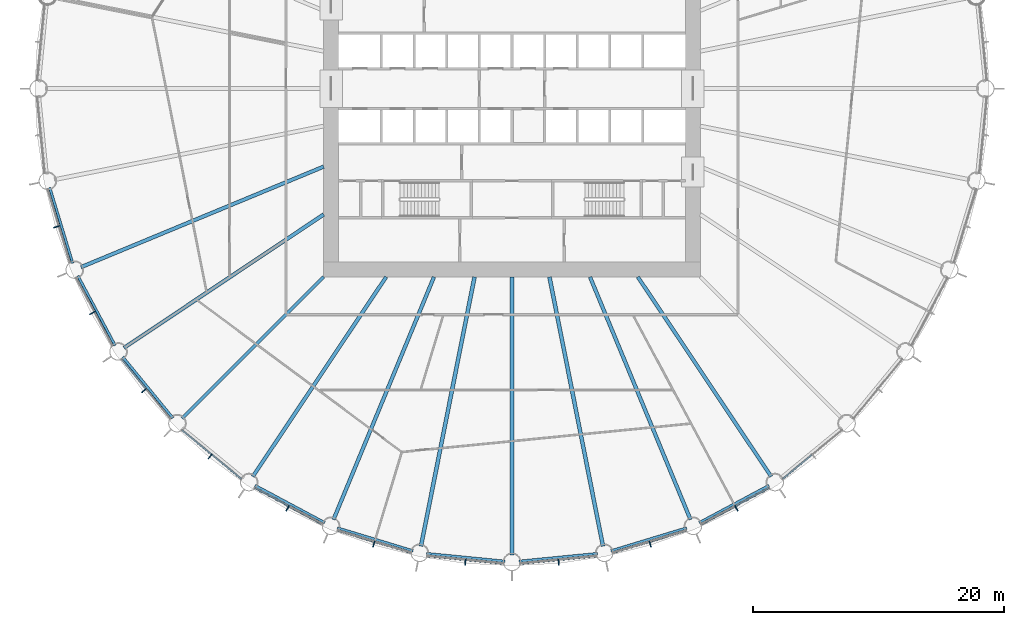
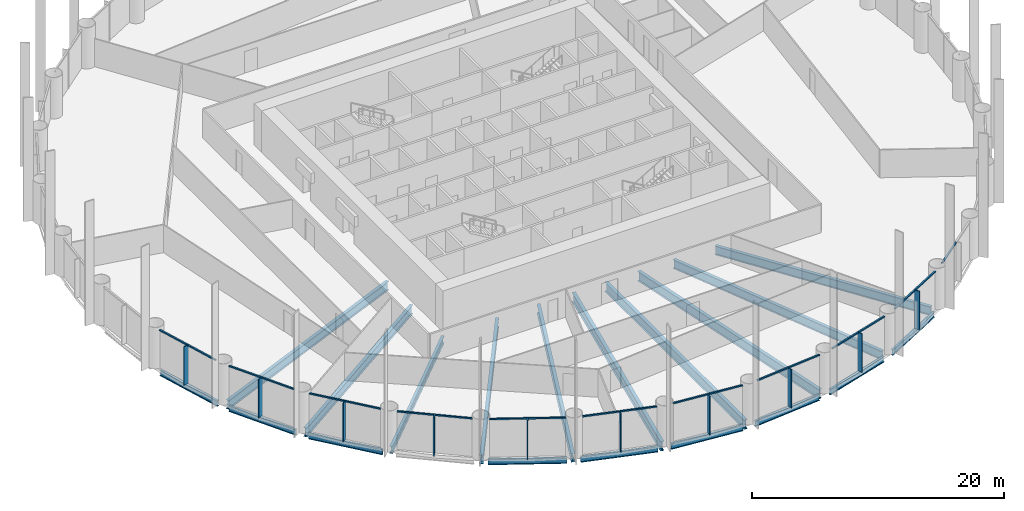
# One storey, part 2 of 14: 31 members, 19 beams, 11 elements without a shape of their own.
"""IFC4 building model written with IfcOpenShell, lengths in metres."""

from ifc_helpers import new_model, si_unit, direction, frame, origin, origin_2d, place, context, subcontext, project, spatial, rectangle, i_section, extrude, material, material_profile, profile_set, type_object, element, aggregate, save


model = new_model("IFC4")

# Units and contexts
model_context = context("Model", 3, precision=1e-05, world=origin(), true_north=direction((0.0, 1.0)))
body_context = subcontext(model_context, "Body", "Model", "MODEL_VIEW")
ifc_project = project(units=[si_unit("LENGTHUNIT", "METRE"), si_unit("AREAUNIT", "SQUARE_METRE"), si_unit("VOLUMEUNIT", "CUBIC_METRE"), si_unit("PLANEANGLEUNIT", "RADIAN"), si_unit("MASSUNIT", "GRAM", prefix="KILO")], contexts=[model_context])

# Site, building, storey
site_placement = place(None, origin())
site = spatial("IfcSite", under=ifc_project, at=site_placement, CompositionType="ELEMENT")
building_placement = place(site_placement, origin())
building = spatial("IfcBuilding", under=site, at=building_placement, Name="Corvane Civic Tower", CompositionType="ELEMENT")
storey_placement = place(building_placement, frame((0.0, 0.0, 53.0)))
storey = spatial("IfcBuildingStorey", under=building, at=storey_placement, Name="L11", CompositionType="ELEMENT", Elevation=53.0)

# Beams
ifc_material_1 = material(Name="Steel ASTM A992 Gr 50", Category="steel")
ifc_material_profile_1 = material_profile(ifc_material_1, i_section(OverallWidth=0.209228515625, OverallDepth=0.533447265625, WebThickness=0.01025390625, FlangeThickness=0.015625, at=origin_2d()), Name="W21X62")
ifc_profile_set_1 = profile_set([ifc_material_profile_1], Name="Steel ASTM A992 Gr 50")
beam_type_1 = type_object("IfcBeamType", Name="EDGE BEAM W21X62", PredefinedType="BEAM", material=ifc_profile_set_1)
for number, where, z_axis, x_axis, name in (
    (1, (20.4599609375, -31.605712890625, -0.566650390625), (-0.881916367906, -0.471405897311, 0.0), (0.471405897311, -0.881916367906, 0.0), "BM-L11-E14"),
    (2, (13.90087890625, -34.989990234375, -0.566650390625), (-0.956943740748, -0.290273452184, 0.0), (0.290273452184, -0.956943740748, 0.0), "BM-L11-E15"),
):
    element("IfcBeam", number, at=place(storey_placement, frame(where, z_axis=z_axis, x_axis=x_axis)), inside=storey, type_object=beam_type_1, Name=name, PredefinedType="BEAM", context=body_context, shape_type="SweptSolid", body=[
        extrude(i_section(OverallWidth=0.209228515625, OverallDepth=0.533447265625, WebThickness=0.01025390625, FlangeThickness=0.015625, at=origin_2d()), origin(), (0.0, 0.0, 1.0), 6.290283203125),
    ])
for number, where, z_axis, x_axis, name in (
    (3, (6.8076171875, -37.029541015625, -0.566650390625), (-0.995186682089, -0.097997284622, 0.0), (0.097997284622, -0.995186682089, 0.0), "BM-L11-E16"),
    (4, (-0.54736328125, -37.64599609375, -0.566650390625), (-0.995186682089, 0.097997284622, 0.0), (-0.097997284622, -0.995186682089, 0.0), "BM-L11-E17"),
):
    element("IfcBeam", number, at=place(storey_placement, frame(where, z_axis=z_axis, x_axis=x_axis)), inside=storey, type_object=beam_type_1, Name=name, PredefinedType="BEAM", context=body_context, shape_type="SweptSolid", body=[
        extrude(i_section(OverallWidth=0.209228515625, OverallDepth=0.533447265625, WebThickness=0.01025390625, FlangeThickness=0.015625, at=origin_2d()), origin(), (0.0, 0.0, 1.0), 6.29052734375),
    ])
for number, where, z_axis, x_axis, name in (
    (5, (-7.88134765625, -36.81591796875, -0.566650390625), (-0.956943740748, 0.290273452184, 0.0), (-0.290273452184, -0.956943740748, 0.0), "BM-L11-E18"),
    (6, (-14.912353515625, -34.571044921875, -0.566650390625), (-0.881916367906, 0.471405897311, 0.0), (-0.471405897311, -0.881916367906, 0.0), "BM-L11-E19"),
):
    element("IfcBeam", number, at=place(storey_placement, frame(where, z_axis=z_axis, x_axis=x_axis)), inside=storey, type_object=beam_type_1, Name=name, PredefinedType="BEAM", context=body_context, shape_type="SweptSolid", body=[
        extrude(i_section(OverallWidth=0.209228515625, OverallDepth=0.533447265625, WebThickness=0.01025390625, FlangeThickness=0.015625, at=origin_2d()), origin(), (0.0, 0.0, 1.0), 6.290283203125),
    ])
beam_1_placement = place(storey_placement, frame((-27.0068359375, -26.23291015625, -0.566650390625), z_axis=(-0.634386787141, 0.773015785286, 0.0), x_axis=(-0.773015785286, -0.634386787141, 0.0)))
element("IfcBeam", 7, at=beam_1_placement, inside=storey, type_object=beam_type_1, Name="BM-L11-E21", PredefinedType="BEAM", context=body_context, shape_type="SweptSolid", body=[
    extrude(i_section(OverallWidth=0.209228515625, OverallDepth=0.533447265625, WebThickness=0.01025390625, FlangeThickness=0.015625, at=origin_2d()), origin(), (0.0, 0.0, 1.0), 6.290771484375),
])
for number, where, z_axis, x_axis, name in (
    (8, (-31.605712890625, -20.4599609375, -0.566650390625), (-0.471405897311, 0.881916367906, 0.0), (-0.881916367906, -0.471405897311, 0.0), "BM-L11-E22"),
    (9, (-34.989990234375, -13.90087890625, -0.566650390625), (-0.290273452184, 0.956943740748, 0.0), (-0.956943740748, -0.290273452184, 0.0), "BM-L11-E23"),
):
    element("IfcBeam", number, at=place(storey_placement, frame(where, z_axis=z_axis, x_axis=x_axis)), inside=storey, type_object=beam_type_1, Name=name, PredefinedType="BEAM", context=body_context, shape_type="SweptSolid", body=[
        extrude(i_section(OverallWidth=0.209228515625, OverallDepth=0.533447265625, WebThickness=0.01025390625, FlangeThickness=0.015625, at=origin_2d()), origin(), (0.0, 0.0, 1.0), 6.290283203125),
    ])
ifc_material_2 = material(Name="Steel ASTM A992 Gr 50", Category="steel")
ifc_material_profile_2 = material_profile(ifc_material_2, i_section(OverallWidth=0.256591796875, OverallDepth=0.693359375, WebThickness=0.014404296875, FlangeThickness=0.023681640625, at=origin_2d()), Name="W27X114")
ifc_profile_set_2 = profile_set([ifc_material_profile_2], Name="Steel ASTM A992 Gr 50")
beam_type_2 = type_object("IfcBeamType", Name="FLOOR GIRDER W27X114", PredefinedType="BEAM", material=ifc_profile_set_2)
beam_2_placement = place(storey_placement, frame((-15.0, -15.0, -0.646728515625), z_axis=(-0.707106781187, -0.707106781187, 0.0), x_axis=(0.707106781187, -0.707106781187, 0.0)))
element("IfcBeam", 10, at=beam_2_placement, inside=storey, type_object=beam_type_2, Name="BM-L11-G21", PredefinedType="BEAM", context=body_context, shape_type="SweptSolid", body=[
    extrude(i_section(OverallWidth=0.256591796875, OverallDepth=0.693359375, WebThickness=0.014404296875, FlangeThickness=0.023681640625, at=origin_2d()), origin(), (0.0, 0.0, 1.0), 15.936767578125),
])
ifc_material_3 = material(Name="Steel ASTM A992 Gr 50", Category="steel")
ifc_material_profile_3 = material_profile(ifc_material_3, i_section(OverallWidth=0.2919921875, OverallDepth=0.8583984375, WebThickness=0.01708984375, FlangeThickness=0.031005859375, at=origin_2d()), Name="W33X169")
ifc_profile_set_3 = profile_set([ifc_material_profile_3], Name="Steel ASTM A992 Gr 50")
beam_type_3 = type_object("IfcBeamType", Name="FLOOR GIRDER W33X169", PredefinedType="BEAM", material=ifc_profile_set_3)
beam_3_placement = place(storey_placement, frame((10.022705078125, -15.0, -0.729248046875), z_axis=(0.555566681385, -0.831471985418, 0.0), x_axis=(0.831471985418, 0.555566681385, 0.0)))
element("IfcBeam", 11, at=beam_3_placement, inside=storey, type_object=beam_type_3, Name="BM-L11-G14", PredefinedType="BEAM", context=body_context, shape_type="SweptSolid", body=[
    extrude(i_section(OverallWidth=0.2919921875, OverallDepth=0.8583984375, WebThickness=0.01708984375, FlangeThickness=0.031005859375, at=origin_2d()), origin(), (0.0, 0.0, 1.0), 19.109619140625),
])
for number, where, z_axis, x_axis, name in (
    (12, (6.213134765625, -15.0, -0.729248046875), (0.382692360381, -0.923875834355, 0.0), (0.923875834355, 0.382692360381, 0.0), "BM-L11-G15"),
    (13, (-6.213134765625, -15.0, -0.729248046875), (-0.382692360381, -0.923875834355, 0.0), (0.923875834355, -0.382692360381, 0.0), "BM-L11-G19"),
):
    element("IfcBeam", number, at=place(storey_placement, frame(where, z_axis=z_axis, x_axis=x_axis)), inside=storey, type_object=beam_type_3, Name=name, PredefinedType="BEAM", context=body_context, shape_type="SweptSolid", body=[
        extrude(i_section(OverallWidth=0.2919921875, OverallDepth=0.8583984375, WebThickness=0.01708984375, FlangeThickness=0.031005859375, at=origin_2d()), origin(), (0.0, 0.0, 1.0), 20.9140625),
    ])
for number, where, z_axis, x_axis, name in (
    (14, (-10.022705078125, -15.0, -0.729248046875), (-0.555566681385, -0.831471985418, 0.0), (0.831471985418, -0.555566681385, 0.0), "BM-L11-G20"),
    (15, (-15.0, -10.022705078125, -0.729248046875), (-0.831471985418, -0.555566681385, 0.0), (0.555566681385, -0.831471985418, 0.0), "BM-L11-G22"),
):
    element("IfcBeam", number, at=place(storey_placement, frame(where, z_axis=z_axis, x_axis=x_axis)), inside=storey, type_object=beam_type_3, Name=name, PredefinedType="BEAM", context=body_context, shape_type="SweptSolid", body=[
        extrude(i_section(OverallWidth=0.2919921875, OverallDepth=0.8583984375, WebThickness=0.01708984375, FlangeThickness=0.031005859375, at=origin_2d()), origin(), (0.0, 0.0, 1.0), 19.109619140625),
    ])
beam_4_placement = place(storey_placement, frame((-15.0, -6.213134765625, -0.729248046875), z_axis=(-0.923875834355, -0.382692360381, 0.0), x_axis=(0.382692360381, -0.923875834355, 0.0)))
element("IfcBeam", 16, at=beam_4_placement, inside=storey, type_object=beam_type_3, Name="BM-L11-G23", PredefinedType="BEAM", context=body_context, shape_type="SweptSolid", body=[
    extrude(i_section(OverallWidth=0.2919921875, OverallDepth=0.8583984375, WebThickness=0.01708984375, FlangeThickness=0.031005859375, at=origin_2d()), origin(), (0.0, 0.0, 1.0), 20.9140625),
])
ifc_material_4 = material(Name="Steel ASTM A992 Gr 50", Category="steel")
ifc_material_profile_4 = material_profile(ifc_material_4, i_section(OverallWidth=0.307373046875, OverallDepth=0.927001953125, WebThickness=0.01953125, FlangeThickness=0.031982421875, at=origin_2d()), Name="W36X194")
ifc_profile_set_4 = profile_set([ifc_material_profile_4], Name="Steel ASTM A992 Gr 50")
beam_type_4 = type_object("IfcBeamType", Name="FLOOR GIRDER W36X194", PredefinedType="BEAM", material=ifc_profile_set_4)
beam_5_placement = place(storey_placement, frame((2.983642578125, -15.0, -0.763671875), z_axis=(0.195089219638, -0.980785499679, 0.0), x_axis=(0.980785499679, 0.195089219638, 0.0)))
element("IfcBeam", 17, at=beam_5_placement, inside=storey, type_object=beam_type_4, Name="BM-L11-G16", PredefinedType="BEAM", context=body_context, shape_type="SweptSolid", body=[
    extrude(i_section(OverallWidth=0.307373046875, OverallDepth=0.927001953125, WebThickness=0.01953125, FlangeThickness=0.031982421875, at=origin_2d()), origin(), (0.0, 0.0, 1.0), 21.856201171875),
])
beam_6_placement = place(storey_placement, frame((0.0, -15.0, -0.763671875), z_axis=(0.0, -1.0, 0.0), x_axis=(1.0, 0.0, 0.0)))
element("IfcBeam", 18, at=beam_6_placement, inside=storey, type_object=beam_type_4, Name="BM-L11-G17", PredefinedType="BEAM", context=body_context, shape_type="SweptSolid", body=[
    extrude(i_section(OverallWidth=0.307373046875, OverallDepth=0.927001953125, WebThickness=0.01953125, FlangeThickness=0.031982421875, at=origin_2d()), origin(), (0.0, 0.0, 1.0), 22.14990234375),
])
beam_7_placement = place(storey_placement, frame((-2.983642578125, -15.0, -0.763671875), z_axis=(-0.195089219638, -0.980785499679, 0.0), x_axis=(0.980785499679, -0.195089219638, 0.0)))
element("IfcBeam", 19, at=beam_7_placement, inside=storey, type_object=beam_type_4, Name="BM-L11-G18", PredefinedType="BEAM", context=body_context, shape_type="SweptSolid", body=[
    extrude(i_section(OverallWidth=0.307373046875, OverallDepth=0.927001953125, WebThickness=0.01953125, FlangeThickness=0.031982421875, at=origin_2d()), origin(), (0.0, 0.0, 1.0), 21.856201171875),
])

# Curtain wall, member
ifc_material_5 = material(Name="Anodised aluminium bronze", Category="aluminium")
curtain_wall_type = type_object("IfcCurtainWallType", Name="TOWER CW-T1 STICK CURTAIN WALL", PredefinedType="NOTDEFINED", material=ifc_material_5)
curtain_wall_1_placement = place(storey_placement, origin())
curtain_wall_1 = element("IfcCurtainWall", 20, at=curtain_wall_1_placement, inside=storey, type_object=curtain_wall_type, Name="Curtain wall CW-T1 L11 bay 13", PredefinedType="NOTDEFINED")
ifc_material_6 = material(Name="Anodised aluminium bronze", Category="aluminium")
ifc_material_profile_5 = material_profile(ifc_material_6, rectangle(XDim=0.139892578125, YDim=0.1201171875, at=origin_2d()), Name="TOWER CW-T1 TRANSOM 140x120")
ifc_profile_set_5 = profile_set([ifc_material_profile_5], Name="Anodised aluminium bronze")
member_type_1 = type_object("IfcMemberType", Name="TOWER CW-T1 TRANSOM 140x120", PredefinedType="USERDEFINED", material=ifc_profile_set_5)
member_1_placement = place(storey_placement, frame((23.88427734375, -29.166015625, 3.68994140625), z_axis=(-0.773041738279, -0.634355161466, 0.0), x_axis=(0.634355161466, -0.773041738279, 0.0)))
member_1 = element("IfcMember", 21, at=member_1_placement, type_object=member_type_1, Name="Transom CW-T1 L11 13.2", ObjectType="TRANSOM", PredefinedType="USERDEFINED", context=body_context, shape_type="SweptSolid", body=[
    extrude(rectangle(XDim=0.139892578125, YDim=0.1201171875, at=origin_2d()), origin(), (0.0, 0.0, 1.0), 3.008544921875),
])
aggregate(curtain_wall_1, [member_1])

# Curtain wall, members
curtain_wall_2_placement = place(storey_placement, origin())
curtain_wall_2 = element("IfcCurtainWall", 22, at=curtain_wall_2_placement, inside=storey, type_object=curtain_wall_type, Name="Curtain wall CW-T1 L11 bay 14", PredefinedType="NOTDEFINED")
member_2_placement = place(storey_placement, frame((20.459228515625, -31.809326171875, 3.68994140625), z_axis=(-0.881923525532, -0.471392506424, 0.0), x_axis=(0.471392506424, -0.881923525532, 0.0)))
member_2 = element("IfcMember", 23, at=member_2_placement, type_object=member_type_1, Name="Transom CW-T1 L11 14.1", ObjectType="TRANSOM", PredefinedType="USERDEFINED", context=body_context, shape_type="SweptSolid", body=[
    extrude(rectangle(XDim=0.139892578125, YDim=0.1201171875, at=origin_2d()), origin(), (0.0, 0.0, 1.0), 3.008544921875),
])
member_3_placement = place(storey_placement, frame((17.7353515625, -33.26513671875, 3.68994140625), z_axis=(-0.881923525532, -0.471392506424, 0.0), x_axis=(0.471392506424, -0.881923525532, 0.0)))
member_3 = element("IfcMember", 24, at=member_3_placement, type_object=member_type_1, Name="Transom CW-T1 L11 14.2", ObjectType="TRANSOM", PredefinedType="USERDEFINED", context=body_context, shape_type="SweptSolid", body=[
    extrude(rectangle(XDim=0.139892578125, YDim=0.1201171875, at=origin_2d()), origin(), (0.0, 0.0, 1.0), 3.008544921875),
])

curtain_wall_3_placement = place(storey_placement, origin())
curtain_wall_3 = element("IfcCurtainWall", 25, at=curtain_wall_3_placement, inside=storey, type_object=curtain_wall_type, Name="Curtain wall CW-T1 L11 bay 15", PredefinedType="NOTDEFINED")
member_4_placement = place(storey_placement, frame((13.8603515625, -35.189453125, 3.68994140625), z_axis=(-0.956941780555, -0.290279914268, 0.0), x_axis=(0.290279914268, -0.956941780555, 0.0)))
member_4 = element("IfcMember", 26, at=member_4_placement, type_object=member_type_1, Name="Transom CW-T1 L11 15.1", ObjectType="TRANSOM", PredefinedType="USERDEFINED", context=body_context, shape_type="SweptSolid", body=[
    extrude(rectangle(XDim=0.139892578125, YDim=0.1201171875, at=origin_2d()), origin(), (0.0, 0.0, 1.0), 3.008544921875),
])
member_5_placement = place(storey_placement, frame((10.90478515625, -36.0859375, 3.68994140625), z_axis=(-0.956941780555, -0.290279914268, 0.0), x_axis=(0.290279914268, -0.956941780555, 0.0)))
member_5 = element("IfcMember", 27, at=member_5_placement, type_object=member_type_1, Name="Transom CW-T1 L11 15.2", ObjectType="TRANSOM", PredefinedType="USERDEFINED", context=body_context, shape_type="SweptSolid", body=[
    extrude(rectangle(XDim=0.139892578125, YDim=0.1201171875, at=origin_2d()), origin(), (0.0, 0.0, 1.0), 3.008544921875),
])

curtain_wall_4_placement = place(storey_placement, origin())
curtain_wall_4 = element("IfcCurtainWall", 28, at=curtain_wall_4_placement, inside=storey, type_object=curtain_wall_type, Name="Curtain wall CW-T1 L11 bay 16", PredefinedType="NOTDEFINED")
member_6_placement = place(storey_placement, frame((6.72900390625, -37.21728515625, 3.68994140625), z_axis=(-0.995191836722, -0.097944923917, 0.0), x_axis=(0.097944923917, -0.995191836722, 0.0)))
member_6 = element("IfcMember", 29, at=member_6_placement, type_object=member_type_1, Name="Transom CW-T1 L11 16.1", ObjectType="TRANSOM", PredefinedType="USERDEFINED", context=body_context, shape_type="SweptSolid", body=[
    extrude(rectangle(XDim=0.139892578125, YDim=0.1201171875, at=origin_2d()), origin(), (0.0, 0.0, 1.0), 3.008544921875),
])
member_7_placement = place(storey_placement, frame((3.6552734375, -37.52001953125, 3.68994140625), z_axis=(-0.995191836722, -0.097944923917, 0.0), x_axis=(0.097944923917, -0.995191836722, 0.0)))
member_7 = element("IfcMember", 30, at=member_7_placement, type_object=member_type_1, Name="Transom CW-T1 L11 16.2", ObjectType="TRANSOM", PredefinedType="USERDEFINED", context=body_context, shape_type="SweptSolid", body=[
    extrude(rectangle(XDim=0.139892578125, YDim=0.1201171875, at=origin_2d()), origin(), (0.0, 0.0, 1.0), 3.008544921875),
])

curtain_wall_5_placement = place(storey_placement, origin())
curtain_wall_5 = element("IfcCurtainWall", 31, at=curtain_wall_5_placement, inside=storey, type_object=curtain_wall_type, Name="Curtain wall CW-T1 L11 bay 17", PredefinedType="NOTDEFINED")
member_8_placement = place(storey_placement, frame((-0.6611328125, -37.814697265625, 3.68994140625), z_axis=(-0.995191836722, 0.097944923917, 0.0), x_axis=(-0.097944923917, -0.995191836722, 0.0)))
member_8 = element("IfcMember", 32, at=member_8_placement, type_object=member_type_1, Name="Transom CW-T1 L11 17.1", ObjectType="TRANSOM", PredefinedType="USERDEFINED", context=body_context, shape_type="SweptSolid", body=[
    extrude(rectangle(XDim=0.139892578125, YDim=0.1201171875, at=origin_2d()), origin(), (0.0, 0.0, 1.0), 3.008544921875),
])
member_9_placement = place(storey_placement, frame((-3.73486328125, -37.511962890625, 3.68994140625), z_axis=(-0.995191836722, 0.097944923917, 0.0), x_axis=(-0.097944923917, -0.995191836722, 0.0)))
member_9 = element("IfcMember", 33, at=member_9_placement, type_object=member_type_1, Name="Transom CW-T1 L11 17.2", ObjectType="TRANSOM", PredefinedType="USERDEFINED", context=body_context, shape_type="SweptSolid", body=[
    extrude(rectangle(XDim=0.139892578125, YDim=0.1201171875, at=origin_2d()), origin(), (0.0, 0.0, 1.0), 3.008544921875),
])

curtain_wall_6_placement = place(storey_placement, origin())
curtain_wall_6 = element("IfcCurtainWall", 34, at=curtain_wall_6_placement, inside=storey, type_object=curtain_wall_type, Name="Curtain wall CW-T1 L11 bay 18", PredefinedType="NOTDEFINED")
member_10_placement = place(storey_placement, frame((-8.02587890625, -36.959228515625, 3.68994140625), z_axis=(-0.956941780555, 0.290279914268, 0.0), x_axis=(-0.290279914268, -0.956941780555, 0.0)))
member_10 = element("IfcMember", 35, at=member_10_placement, type_object=member_type_1, Name="Transom CW-T1 L11 18.1", ObjectType="TRANSOM", PredefinedType="USERDEFINED", context=body_context, shape_type="SweptSolid", body=[
    extrude(rectangle(XDim=0.139892578125, YDim=0.1201171875, at=origin_2d()), origin(), (0.0, 0.0, 1.0), 3.008544921875),
])
member_11_placement = place(storey_placement, frame((-10.9814453125, -36.062744140625, 3.68994140625), z_axis=(-0.956941780555, 0.290279914268, 0.0), x_axis=(-0.290279914268, -0.956941780555, 0.0)))
member_11 = element("IfcMember", 36, at=member_11_placement, type_object=member_type_1, Name="Transom CW-T1 L11 18.2", ObjectType="TRANSOM", PredefinedType="USERDEFINED", context=body_context, shape_type="SweptSolid", body=[
    extrude(rectangle(XDim=0.139892578125, YDim=0.1201171875, at=origin_2d()), origin(), (0.0, 0.0, 1.0), 3.008544921875),
])

curtain_wall_7_placement = place(storey_placement, origin())
curtain_wall_7 = element("IfcCurtainWall", 37, at=curtain_wall_7_placement, inside=storey, type_object=curtain_wall_type, Name="Curtain wall CW-T1 L11 bay 19", PredefinedType="NOTDEFINED")
member_12_placement = place(storey_placement, frame((-15.08203125, -34.683349609375, 3.68994140625), z_axis=(-0.881923525532, 0.471392506424, 0.0), x_axis=(-0.471392506424, -0.881923525532, 0.0)))
member_12 = element("IfcMember", 38, at=member_12_placement, type_object=member_type_1, Name="Transom CW-T1 L11 19.1", ObjectType="TRANSOM", PredefinedType="USERDEFINED", context=body_context, shape_type="SweptSolid", body=[
    extrude(rectangle(XDim=0.139892578125, YDim=0.1201171875, at=origin_2d()), origin(), (0.0, 0.0, 1.0), 3.008544921875),
])
member_13_placement = place(storey_placement, frame((-17.805908203125, -33.2275390625, 3.68994140625), z_axis=(-0.881923525532, 0.471392506424, 0.0), x_axis=(-0.471392506424, -0.881923525532, 0.0)))
member_13 = element("IfcMember", 39, at=member_13_placement, type_object=member_type_1, Name="Transom CW-T1 L11 19.2", ObjectType="TRANSOM", PredefinedType="USERDEFINED", context=body_context, shape_type="SweptSolid", body=[
    extrude(rectangle(XDim=0.139892578125, YDim=0.1201171875, at=origin_2d()), origin(), (0.0, 0.0, 1.0), 3.008544921875),
])

curtain_wall_8_placement = place(storey_placement, origin())
curtain_wall_8 = element("IfcCurtainWall", 40, at=curtain_wall_8_placement, inside=storey, type_object=curtain_wall_type, Name="Curtain wall CW-T1 L11 bay 20", PredefinedType="NOTDEFINED")
member_14_placement = place(storey_placement, frame((-21.55859375, -31.074462890625, 3.68994140625), z_axis=(-0.773041738279, 0.634355161466, 0.0), x_axis=(-0.634355161466, -0.773041738279, 0.0)))
member_14 = element("IfcMember", 41, at=member_14_placement, type_object=member_type_1, Name="Transom CW-T1 L11 20.1", ObjectType="TRANSOM", PredefinedType="USERDEFINED", context=body_context, shape_type="SweptSolid", body=[
    extrude(rectangle(XDim=0.139892578125, YDim=0.1201171875, at=origin_2d()), origin(), (0.0, 0.0, 1.0), 3.008544921875),
])
member_15_placement = place(storey_placement, frame((-23.946044921875, -29.115234375, 3.68994140625), z_axis=(-0.773001943873, 0.634403652865, 0.0), x_axis=(-0.634403652865, -0.773001943873, 0.0)))
member_15 = element("IfcMember", 42, at=member_15_placement, type_object=member_type_1, Name="Transom CW-T1 L11 20.2", ObjectType="TRANSOM", PredefinedType="USERDEFINED", context=body_context, shape_type="SweptSolid", body=[
    extrude(rectangle(XDim=0.139892578125, YDim=0.1201171875, at=origin_2d()), origin(), (0.0, 0.0, 1.0), 3.008544921875),
])

curtain_wall_9_placement = place(storey_placement, origin())
curtain_wall_9 = element("IfcCurtainWall", 43, at=curtain_wall_9_placement, inside=storey, type_object=curtain_wall_type, Name="Curtain wall CW-T1 L11 bay 21", PredefinedType="NOTDEFINED")
member_16_placement = place(storey_placement, frame((-27.20654296875, -26.271728515625, 3.68994140625), z_axis=(-0.634403652865, 0.773001943873, 0.0), x_axis=(-0.773001943873, -0.634403652865, 0.0)))
member_16 = element("IfcMember", 44, at=member_16_placement, type_object=member_type_1, Name="Transom CW-T1 L11 21.1", ObjectType="TRANSOM", PredefinedType="USERDEFINED", context=body_context, shape_type="SweptSolid", body=[
    extrude(rectangle(XDim=0.139892578125, YDim=0.1201171875, at=origin_2d()), origin(), (0.0, 0.0, 1.0), 3.008544921875),
])
member_17_placement = place(storey_placement, frame((-29.166015625, -23.88427734375, 3.68994140625), z_axis=(-0.634355161466, 0.773041738279, 0.0), x_axis=(-0.773041738279, -0.634355161466, 0.0)))
member_17 = element("IfcMember", 45, at=member_17_placement, type_object=member_type_1, Name="Transom CW-T1 L11 21.2", ObjectType="TRANSOM", PredefinedType="USERDEFINED", context=body_context, shape_type="SweptSolid", body=[
    extrude(rectangle(XDim=0.139892578125, YDim=0.1201171875, at=origin_2d()), origin(), (0.0, 0.0, 1.0), 3.008544921875),
])

curtain_wall_10_placement = place(storey_placement, origin())
curtain_wall_10 = element("IfcCurtainWall", 46, at=curtain_wall_10_placement, inside=storey, type_object=curtain_wall_type, Name="Curtain wall CW-T1 L11 bay 22", PredefinedType="NOTDEFINED")
member_18_placement = place(storey_placement, frame((-31.809326171875, -20.459228515625, 3.68994140625), z_axis=(-0.471392506424, 0.881923525532, 0.0), x_axis=(-0.881923525532, -0.471392506424, 0.0)))
member_18 = element("IfcMember", 47, at=member_18_placement, type_object=member_type_1, Name="Transom CW-T1 L11 22.1", ObjectType="TRANSOM", PredefinedType="USERDEFINED", context=body_context, shape_type="SweptSolid", body=[
    extrude(rectangle(XDim=0.139892578125, YDim=0.1201171875, at=origin_2d()), origin(), (0.0, 0.0, 1.0), 3.008544921875),
])
member_19_placement = place(storey_placement, frame((-33.26513671875, -17.7353515625, 3.68994140625), z_axis=(-0.471392506424, 0.881923525532, 0.0), x_axis=(-0.881923525532, -0.471392506424, 0.0)))
member_19 = element("IfcMember", 48, at=member_19_placement, type_object=member_type_1, Name="Transom CW-T1 L11 22.2", ObjectType="TRANSOM", PredefinedType="USERDEFINED", context=body_context, shape_type="SweptSolid", body=[
    extrude(rectangle(XDim=0.139892578125, YDim=0.1201171875, at=origin_2d()), origin(), (0.0, 0.0, 1.0), 3.008544921875),
])

curtain_wall_11_placement = place(storey_placement, origin())
curtain_wall_11 = element("IfcCurtainWall", 49, at=curtain_wall_11_placement, inside=storey, type_object=curtain_wall_type, Name="Curtain wall CW-T1 L11 bay 23", PredefinedType="NOTDEFINED")
member_20_placement = place(storey_placement, frame((-35.189453125, -13.8603515625, 3.68994140625), z_axis=(-0.290279914268, 0.956941780555, 0.0), x_axis=(-0.956941780555, -0.290279914268, 0.0)))
member_20 = element("IfcMember", 50, at=member_20_placement, type_object=member_type_1, Name="Transom CW-T1 L11 23.1", ObjectType="TRANSOM", PredefinedType="USERDEFINED", context=body_context, shape_type="SweptSolid", body=[
    extrude(rectangle(XDim=0.139892578125, YDim=0.1201171875, at=origin_2d()), origin(), (0.0, 0.0, 1.0), 3.008544921875),
])
member_21_placement = place(storey_placement, frame((-36.0859375, -10.90478515625, 3.68994140625), z_axis=(-0.290279914268, 0.956941780555, 0.0), x_axis=(-0.956941780555, -0.290279914268, 0.0)))
member_21 = element("IfcMember", 51, at=member_21_placement, type_object=member_type_1, Name="Transom CW-T1 L11 23.2", ObjectType="TRANSOM", PredefinedType="USERDEFINED", context=body_context, shape_type="SweptSolid", body=[
    extrude(rectangle(XDim=0.139892578125, YDim=0.1201171875, at=origin_2d()), origin(), (0.0, 0.0, 1.0), 3.008544921875),
])

# Member
ifc_material_7 = material(Name="Anodised aluminium bronze", Category="aluminium")
ifc_material_profile_6 = material_profile(ifc_material_7, rectangle(XDim=0.080078125, YDim=0.5, at=origin_2d()), Name="TOWER FIN MULLION 80x500 BRONZE")
ifc_profile_set_6 = profile_set([ifc_material_profile_6], Name="Anodised aluminium bronze")
member_type_2 = type_object("IfcMemberType", Name="TOWER FIN MULLION 80x500 BRONZE", PredefinedType="MULLION", material=ifc_profile_set_6)
member_22_placement = place(storey_placement, frame((17.86474609375, -33.422607421875, 0.0), z_axis=(0.0, 0.0, 1.0), x_axis=(-0.881917528864, -0.471403725359, 0.0)))
member_22 = element("IfcMember", 52, at=member_22_placement, type_object=member_type_2, Name="Fin mullion 14 L11", PredefinedType="MULLION", context=body_context, shape_type="SweptSolid", body=[
    extrude(rectangle(XDim=0.080078125, YDim=0.5, at=origin_2d()), origin(), (0.0, 0.0, 1.0), 3.75),
])

aggregate(curtain_wall_2, [member_22, member_2, member_3])

member_23_placement = place(storey_placement, frame((11.001220703125, -36.265625, 0.0), z_axis=(0.0, 0.0, 1.0), x_axis=(-0.956942240606, -0.290278397654, 0.0)))
member_23 = element("IfcMember", 53, at=member_23_placement, type_object=member_type_2, Name="Fin mullion 15 L11", PredefinedType="MULLION", context=body_context, shape_type="SweptSolid", body=[
    extrude(rectangle(XDim=0.080078125, YDim=0.5, at=origin_2d()), origin(), (0.0, 0.0, 1.0), 3.75),
])

aggregate(curtain_wall_3, [member_23, member_4, member_5])

member_24_placement = place(storey_placement, frame((3.714599609375, -37.715087890625, 0.0), z_axis=(0.0, 0.0, 1.0), x_axis=(-0.995185800248, -0.098006239521, 0.0)))
member_24 = element("IfcMember", 54, at=member_24_placement, type_object=member_type_2, Name="Fin mullion 16 L11", PredefinedType="MULLION", context=body_context, shape_type="SweptSolid", body=[
    extrude(rectangle(XDim=0.080078125, YDim=0.5, at=origin_2d()), origin(), (0.0, 0.0, 1.0), 3.75),
])

aggregate(curtain_wall_4, [member_24, member_6, member_7])

member_25_placement = place(storey_placement, frame((-3.714599609375, -37.715087890625, 0.0), z_axis=(0.0, 0.0, 1.0), x_axis=(-0.995185800248, 0.098006239521, 0.0)))
member_25 = element("IfcMember", 55, at=member_25_placement, type_object=member_type_2, Name="Fin mullion 17 L11", PredefinedType="MULLION", context=body_context, shape_type="SweptSolid", body=[
    extrude(rectangle(XDim=0.080078125, YDim=0.5, at=origin_2d()), origin(), (0.0, 0.0, 1.0), 3.75),
])

aggregate(curtain_wall_5, [member_25, member_8, member_9])

member_26_placement = place(storey_placement, frame((-11.001220703125, -36.265625, 0.0), z_axis=(0.0, 0.0, 1.0), x_axis=(-0.956942240606, 0.290278397654, 0.0)))
member_26 = element("IfcMember", 56, at=member_26_placement, type_object=member_type_2, Name="Fin mullion 18 L11", PredefinedType="MULLION", context=body_context, shape_type="SweptSolid", body=[
    extrude(rectangle(XDim=0.080078125, YDim=0.5, at=origin_2d()), origin(), (0.0, 0.0, 1.0), 3.75),
])

aggregate(curtain_wall_6, [member_26, member_10, member_11])

member_27_placement = place(storey_placement, frame((-17.86474609375, -33.422607421875, 0.0), z_axis=(0.0, 0.0, 1.0), x_axis=(-0.881917528864, 0.471403725359, 0.0)))
member_27 = element("IfcMember", 57, at=member_27_placement, type_object=member_type_2, Name="Fin mullion 19 L11", PredefinedType="MULLION", context=body_context, shape_type="SweptSolid", body=[
    extrude(rectangle(XDim=0.080078125, YDim=0.5, at=origin_2d()), origin(), (0.0, 0.0, 1.0), 3.75),
])

aggregate(curtain_wall_7, [member_27, member_12, member_13])

member_28_placement = place(storey_placement, frame((-24.0419921875, -29.295166015625, 0.0), z_axis=(0.0, 0.0, 1.0), x_axis=(-0.773007224463, 0.634397218569, 0.0)))
member_28 = element("IfcMember", 58, at=member_28_placement, type_object=member_type_2, Name="Fin mullion 20 L11", PredefinedType="MULLION", context=body_context, shape_type="SweptSolid", body=[
    extrude(rectangle(XDim=0.080078125, YDim=0.5, at=origin_2d()), origin(), (0.0, 0.0, 1.0), 3.75),
])

aggregate(curtain_wall_8, [member_28, member_14, member_15])

member_29_placement = place(storey_placement, frame((-29.295166015625, -24.0419921875, 0.0), z_axis=(0.0, 0.0, 1.0), x_axis=(-0.634397218569, 0.773007224463, 0.0)))
member_29 = element("IfcMember", 59, at=member_29_placement, type_object=member_type_2, Name="Fin mullion 21 L11", PredefinedType="MULLION", context=body_context, shape_type="SweptSolid", body=[
    extrude(rectangle(XDim=0.080078125, YDim=0.5, at=origin_2d()), origin(), (0.0, 0.0, 1.0), 3.75),
])

aggregate(curtain_wall_9, [member_29, member_16, member_17])

member_30_placement = place(storey_placement, frame((-33.422607421875, -17.86474609375, 0.0), z_axis=(0.0, 0.0, 1.0), x_axis=(-0.471403725359, 0.881917528864, 0.0)))
member_30 = element("IfcMember", 60, at=member_30_placement, type_object=member_type_2, Name="Fin mullion 22 L11", PredefinedType="MULLION", context=body_context, shape_type="SweptSolid", body=[
    extrude(rectangle(XDim=0.080078125, YDim=0.5, at=origin_2d()), origin(), (0.0, 0.0, 1.0), 3.75),
])

aggregate(curtain_wall_10, [member_30, member_18, member_19])

member_31_placement = place(storey_placement, frame((-36.265625, -11.001220703125, 0.0), z_axis=(0.0, 0.0, 1.0), x_axis=(-0.290278397654, 0.956942240606, 0.0)))
member_31 = element("IfcMember", 61, at=member_31_placement, type_object=member_type_2, Name="Fin mullion 23 L11", PredefinedType="MULLION", context=body_context, shape_type="SweptSolid", body=[
    extrude(rectangle(XDim=0.080078125, YDim=0.5, at=origin_2d()), origin(), (0.0, 0.0, 1.0), 3.75),
])

aggregate(curtain_wall_11, [member_31, member_20, member_21])

save(model, "model.ifc")
